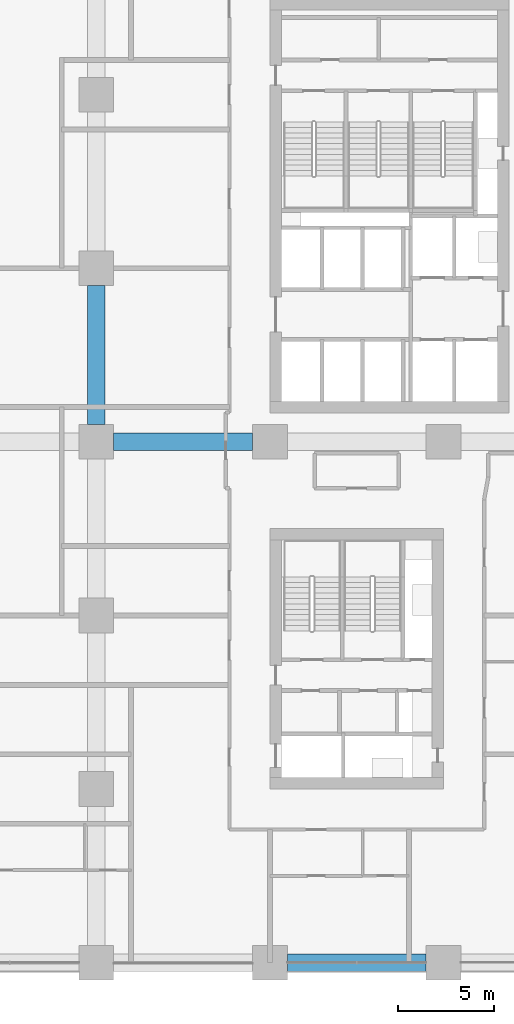
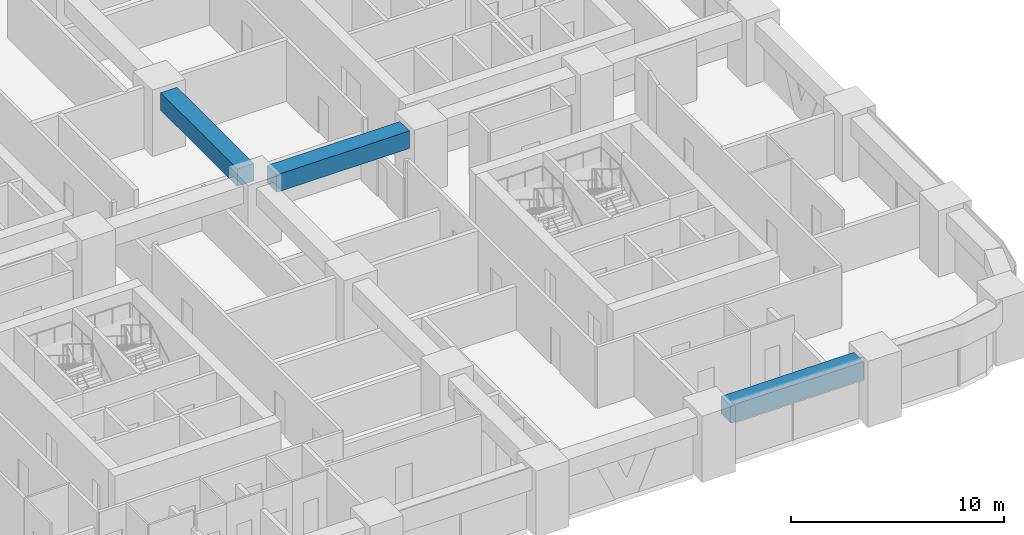
# One storey, part 5 of 21: 3 beams.
"""IFC4 building model written with IfcOpenShell, lengths in metres."""

import ifcopenshell
import ifcopenshell.guid

model = None  # the IFC model being written
_history = None  # IfcOwnerHistory: only IFC2X3 demands one
_inside = {}  # id of a spatial element -> (the spatial element, [elements in it])
_under = {}  # id of a project, library or spatial element -> (it, [spatial elements below it])
_declared = {}  # id of a project -> (the project, [libraries it declares])
_typed = {}  # id of a type object -> (the type object, [elements of that type])
_made_of = {}  # id of a material, layer set ... -> (it, [elements and type objects made of it])


def new_model(schema):
    """Start an empty IFC model of exactly this schema.

    Asked for "IFC4X3", IfcOpenShell would pick the latest addendum, in which some entities
    have other attributes; the version numbers below select the first issue.
    IFC2X3 requires an IfcOwnerHistory on every rooted entity: one is made here for all.
    """
    global model, _history
    if schema == "IFC4X3":
        model = ifcopenshell.file(schema_version=(4, 3, 0, 0))
    else:
        model = ifcopenshell.file(schema=schema)
    _inside.clear()
    _under.clear()
    _declared.clear()
    _typed.clear()
    _made_of.clear()
    _history = None
    if model.schema == "IFC2X3":
        org = make("IfcOrganization", Name="unknown")
        user = make(
            "IfcPersonAndOrganization",
            ThePerson=make("IfcPerson", FamilyName="unknown"),
            TheOrganization=org,
        )
        app = make(
            "IfcApplication",
            ApplicationDeveloper=org,
            Version="unknown",
            ApplicationFullName="unknown",
            ApplicationIdentifier="unknown",
        )
        _history = make(
            "IfcOwnerHistory",
            OwningUser=user,
            OwningApplication=app,
            ChangeAction="ADDED",
            CreationDate=0,
        )
    return model


def make(cls, **values):
    """One entity of the class cls with the attributes given. An attribute that is None is left unset."""
    return model.create_entity(
        cls, **{name: value for name, value in values.items() if value is not None}
    )


def rooted(cls, **values):
    """An entity with a GlobalId (a new one), such as an element, a storey or a relation."""
    return make(cls, GlobalId=ifcopenshell.guid.new(), OwnerHistory=_history, **values)


def si_unit(unit_type, name, prefix=None):
    """IfcSIUnit, for example si_unit("LENGTHUNIT", "METRE", prefix="MILLI")."""
    return make("IfcSIUnit", UnitType=unit_type, Prefix=prefix, Name=name)


def assignment(units):
    """IfcUnitAssignment: the units of a project."""
    return None if units is None else make("IfcUnitAssignment", Units=units)


def point(xyz):
    """IfcCartesianPoint."""
    return None if xyz is None else make("IfcCartesianPoint", Coordinates=xyz)


def direction(xyz):
    """IfcDirection."""
    return None if xyz is None else make("IfcDirection", DirectionRatios=xyz)


def frame(location, z_axis=None, x_axis=None):
    """IfcAxis2Placement3D, a coordinate frame: its origin and axes. An axis left out is left unset."""
    return make(
        "IfcAxis2Placement3D",
        Location=point(location),
        Axis=direction(z_axis),
        RefDirection=direction(x_axis),
    )


def frame_2d(location, x_axis=None):
    """IfcAxis2Placement2D, a coordinate frame in the plane: its origin and x axis."""
    return make(
        "IfcAxis2Placement2D", Location=point(location), RefDirection=direction(x_axis)
    )


def origin():
    """The frame at (0, 0, 0) with its axes left unset."""
    return frame((0.0, 0.0, 0.0))


def origin_2d():
    """The frame at (0, 0) in the plane with its x axis left unset."""
    return frame_2d((0.0, 0.0))


def place(relative_to, where):
    """IfcLocalPlacement: puts the frame where relative to a parent placement (None: the world)."""
    return make(
        "IfcLocalPlacement", PlacementRelTo=relative_to, RelativePlacement=where
    )


def context(
    kind, dimensions, precision=None, world=None, true_north=None, identifier=None
):
    """IfcGeometricRepresentationContext, for example the 3D "Model" context."""
    return make(
        "IfcGeometricRepresentationContext",
        ContextIdentifier=identifier,
        ContextType=kind,
        CoordinateSpaceDimension=dimensions,
        Precision=precision,
        WorldCoordinateSystem=world,
        TrueNorth=true_north,
    )


def subcontext(parent, identifier, kind, view, scale=None):
    """IfcGeometricRepresentationSubContext, for example "Body" below "Model"."""
    return make(
        "IfcGeometricRepresentationSubContext",
        ContextIdentifier=identifier,
        ContextType=kind,
        ParentContext=parent,
        TargetScale=scale,
        TargetView=view,
    )


def project(units=None, contexts=None):
    """IfcProject with its units and contexts."""
    return rooted(
        "IfcProject",
        Name="project",
        RepresentationContexts=contexts,
        UnitsInContext=assignment(units),
    )


def spatial(cls, under=None, at=None, **own):
    """A site, building, storey or space (cls), placed at a placement, below another one or the project."""
    s = rooted(cls, ObjectPlacement=at, **own)
    if under is not None:
        _under.setdefault(under.id(), (under, []))[1].append(s)
    return s


def profile(cls, at=None, kind="AREA", **sizes):
    """A parametric profile (cls). Its sizes go by their IFC names, for example OverallWidth=200.0."""
    return make(cls, ProfileType=kind, Position=at, **sizes)


def rectangle(**sizes):
    """IfcRectangleProfileDef."""
    return profile("IfcRectangleProfileDef", **sizes)


def extrude(swept, where, along, depth):
    """IfcExtrudedAreaSolid: the profile swept, set in the frame where, extruded along a direction by depth."""
    return make(
        "IfcExtrudedAreaSolid",
        SweptArea=swept,
        Position=where,
        ExtrudedDirection=direction(along),
        Depth=depth,
    )


def shape(context_of_items, identifier, shape_type, items):
    """IfcShapeRepresentation: the items that make up one representation, for example the "Body"."""
    return make(
        "IfcShapeRepresentation",
        ContextOfItems=context_of_items,
        RepresentationIdentifier=identifier,
        RepresentationType=shape_type,
        Items=items,
    )


def material(Name=None, Category=None):
    """IfcMaterial."""
    return make("IfcMaterial", Name=Name, Category=Category)


def material_profile(
    of_material, cross_section, Name=None, Category=None, Priority=None
):
    """IfcMaterialProfile: a cross section and its material."""
    return make(
        "IfcMaterialProfile",
        Name=Name,
        Material=of_material,
        Profile=cross_section,
        Priority=Priority,
        Category=Category,
    )


def profile_set(profiles, Name=None, composite=None):
    """IfcMaterialProfileSet."""
    return make(
        "IfcMaterialProfileSet",
        Name=Name,
        MaterialProfiles=profiles,
        CompositeProfile=composite,
    )


def made_of(thing, what):
    """Note that an element or type object is made of a material, layer set ...; save() writes the relation."""
    if what is not None:
        _made_of.setdefault(what.id(), (what, []))[1].append(thing)
    return thing


def type_object(cls, material=None, **own):
    """A type object (cls), such as IfcWallType, which elements share."""
    return made_of(rooted(cls, **own), material)


def element(
    cls,
    number,
    at=None,
    inside=None,
    cuts=None,
    type_object=None,
    material=None,
    context=None,
    identifier="Body",
    shape_type=None,
    held_by="IfcProductDefinitionShape",
    body=None,
    shapes=None,
    **own,
):
    """One element of the class cls, such as IfcWall. Its Tag is "e" and its number.

    at: its placement. inside: the storey or other place that contains it. cuts: it is an
    opening in that element (IfcRelVoidsElement). A single representation is given by context,
    identifier, shape_type and body (its items); several are given by shapes. held_by: the class
    of the entity that holds the representations. save() writes the other relations.
    """
    e = rooted(cls, Tag="e%d" % number, ObjectPlacement=at, **own)
    if body is not None:
        shapes = [shape(context, identifier, shape_type, body)]
    if shapes is not None:
        e.Representation = make(held_by, Representations=shapes)
    if inside is not None:
        _inside.setdefault(inside.id(), (inside, []))[1].append(e)
    if cuts is not None:
        rooted(
            "IfcRelVoidsElement", RelatingBuildingElement=cuts, RelatedOpeningElement=e
        )
    if type_object is not None:
        _typed.setdefault(type_object.id(), (type_object, []))[1].append(e)
    return made_of(e, material)


def aggregate(whole, parts):
    """IfcRelAggregates: a whole, such as a stair, and the parts it consists of."""
    return rooted("IfcRelAggregates", RelatingObject=whole, RelatedObjects=parts)


def save(model, path):
    """Write the relations noted so far, then the file.

    IfcRelAggregates (storeys below a building ...), IfcRelContainedInSpatialStructure (elements
    in a storey), IfcRelDefinesByType, IfcRelAssociatesMaterial and IfcRelDeclares: one each for
    every whole, place, type object, material and project.
    """
    for whole, parts in _under.values():
        aggregate(whole, parts)
    for where, things in _inside.values():
        rooted(
            "IfcRelContainedInSpatialStructure",
            RelatedElements=things,
            RelatingStructure=where,
        )
    for kind, things in _typed.values():
        rooted("IfcRelDefinesByType", RelatedObjects=things, RelatingType=kind)
    for what, things in _made_of.values():
        rooted("IfcRelAssociatesMaterial", RelatedObjects=things, RelatingMaterial=what)
    for by, libraries in _declared.values():
        rooted("IfcRelDeclares", RelatingContext=by, RelatedDefinitions=libraries)
    model.write(path)


model = new_model("IFC4")

# Units and contexts
model_context = context("Model", 3, precision=1e-05, world=origin(), true_north=direction((0.0, 1.0)))
body_context = subcontext(model_context, "Body", "Model", "MODEL_VIEW")
ifc_project = project(units=[si_unit("LENGTHUNIT", "METRE"), si_unit("AREAUNIT", "SQUARE_METRE"), si_unit("VOLUMEUNIT", "CUBIC_METRE"), si_unit("PLANEANGLEUNIT", "RADIAN"), si_unit("MASSUNIT", "GRAM", prefix="KILO")], contexts=[model_context])

# Site, building, storey
site_placement = place(None, origin())
site = spatial("IfcSite", under=ifc_project, at=site_placement, CompositionType="ELEMENT")
building_placement = place(site_placement, origin())
building = spatial("IfcBuilding", under=site, at=building_placement, Name="Tessera Arch", CompositionType="ELEMENT")
storey_placement = place(building_placement, frame((0.0, 0.0, 69.0)))
storey = spatial("IfcBuildingStorey", under=building, at=storey_placement, Name="L15", CompositionType="ELEMENT", Elevation=69.0)

# Beams
ifc_material = material(Name="Concrete C80/95", Category="concrete")
ifc_material_profile = material_profile(ifc_material, rectangle(XDim=0.89990234375, YDim=1.0, at=origin_2d()), Name="RC spandrel beam 900 x 1000 Concrete C80/95")
ifc_profile_set = profile_set([ifc_material_profile], Name="Concrete C80/95")
beam_type = type_object("IfcBeamType", Name="RC spandrel beam 900 x 1000 Concrete C80/95", PredefinedType="BEAM", material=ifc_profile_set)
for number, where, z_axis, x_axis, name in (
    (1, (36.89990234375, 0.0, 3.0), (1.0, 0.0, 0.0), (0.0, 1.0, 0.0), "Spandrel beam L15 S0.0/3"),
    (2, (27.0, 27.89990234375, 3.0), (0.0, 1.0, 0.0), (-1.0, 0.0, 0.0), "Interface beam L15 I0C4D-C4E"),
    (3, (27.89990234375, 27.0, 3.0), (1.0, 0.0, 0.0), (0.0, 1.0, 0.0), "Interface beam L15 I1C4D-C5D"),
):
    element("IfcBeam", number, at=place(storey_placement, frame(where, z_axis=z_axis, x_axis=x_axis)), inside=storey, type_object=beam_type, Name=name, PredefinedType="BEAM", context=body_context, shape_type="SweptSolid", body=[
        extrude(rectangle(XDim=0.89990234375, YDim=1.0, at=origin_2d()), origin(), (0.0, 0.0, 1.0), 7.2001953125),
    ])

save(model, "model.ifc")
